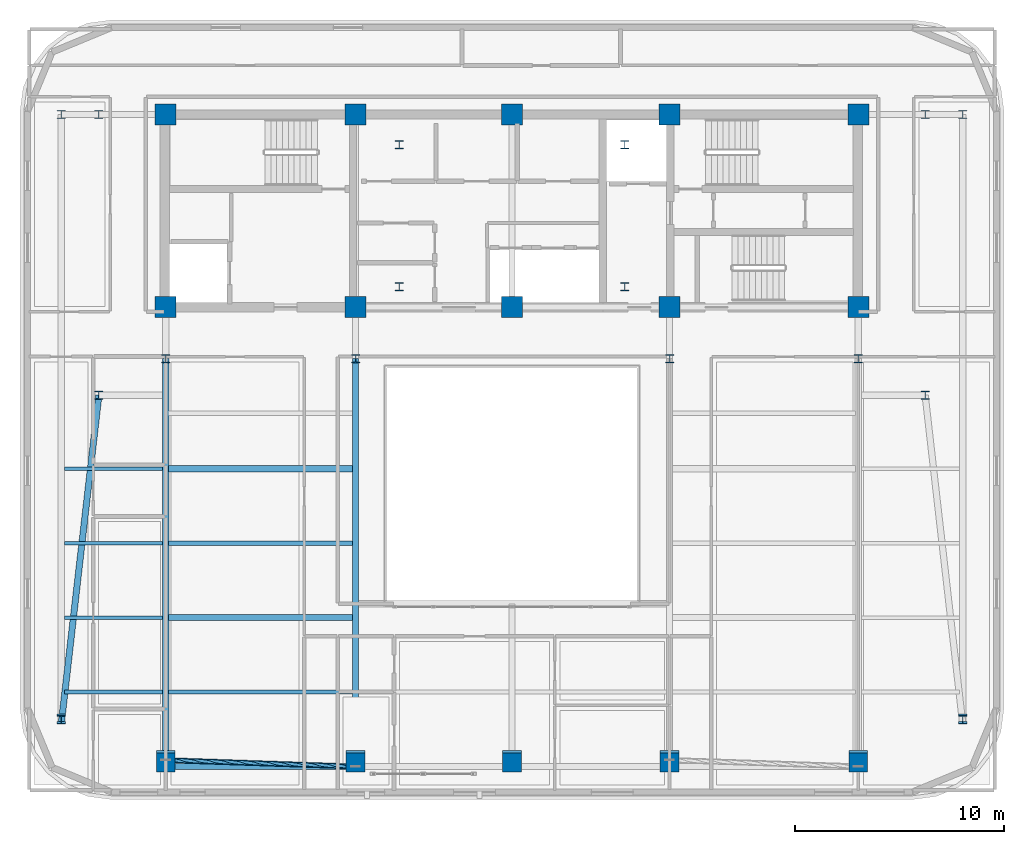
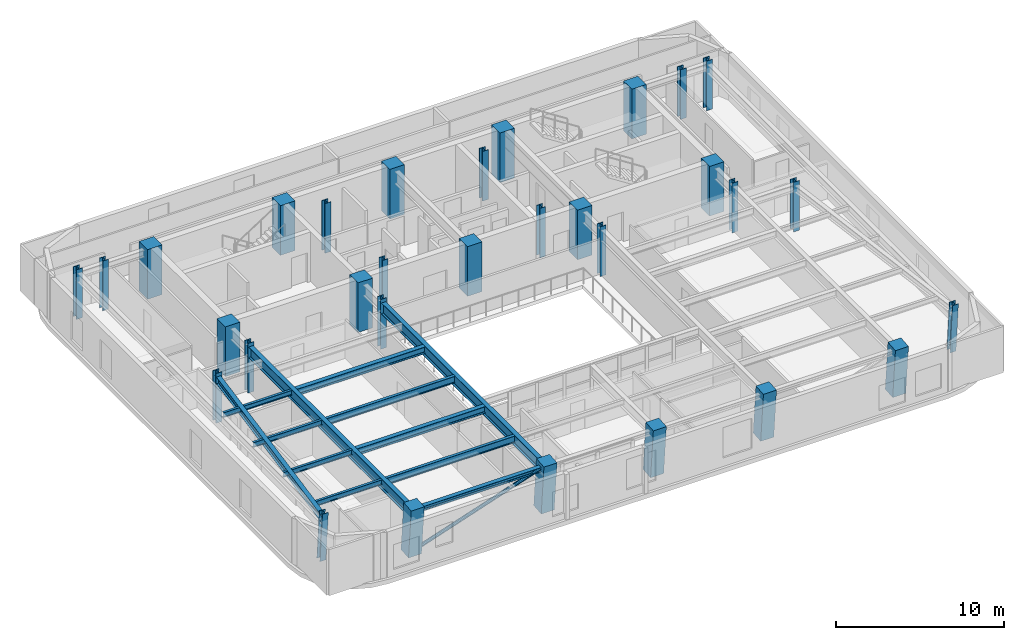
# One storey, part 1 of 14: 31 columns, 12 beams, 1 member.
"""IFC4 building model written with IfcOpenShell, lengths in metres."""

import ifcopenshell
import ifcopenshell.guid

model = None  # the IFC model being written
_history = None  # IfcOwnerHistory: only IFC2X3 demands one
_inside = {}  # id of a spatial element -> (the spatial element, [elements in it])
_under = {}  # id of a project, library or spatial element -> (it, [spatial elements below it])
_declared = {}  # id of a project -> (the project, [libraries it declares])
_typed = {}  # id of a type object -> (the type object, [elements of that type])
_made_of = {}  # id of a material, layer set ... -> (it, [elements and type objects made of it])


def new_model(schema):
    """Start an empty IFC model of exactly this schema.

    Asked for "IFC4X3", IfcOpenShell would pick the latest addendum, in which some entities
    have other attributes; the version numbers below select the first issue.
    IFC2X3 requires an IfcOwnerHistory on every rooted entity: one is made here for all.
    """
    global model, _history
    if schema == "IFC4X3":
        model = ifcopenshell.file(schema_version=(4, 3, 0, 0))
    else:
        model = ifcopenshell.file(schema=schema)
    _inside.clear()
    _under.clear()
    _declared.clear()
    _typed.clear()
    _made_of.clear()
    _history = None
    if model.schema == "IFC2X3":
        org = make("IfcOrganization", Name="unknown")
        user = make(
            "IfcPersonAndOrganization",
            ThePerson=make("IfcPerson", FamilyName="unknown"),
            TheOrganization=org,
        )
        app = make(
            "IfcApplication",
            ApplicationDeveloper=org,
            Version="unknown",
            ApplicationFullName="unknown",
            ApplicationIdentifier="unknown",
        )
        _history = make(
            "IfcOwnerHistory",
            OwningUser=user,
            OwningApplication=app,
            ChangeAction="ADDED",
            CreationDate=0,
        )
    return model


def make(cls, **values):
    """One entity of the class cls with the attributes given. An attribute that is None is left unset."""
    return model.create_entity(
        cls, **{name: value for name, value in values.items() if value is not None}
    )


def rooted(cls, **values):
    """An entity with a GlobalId (a new one), such as an element, a storey or a relation."""
    return make(cls, GlobalId=ifcopenshell.guid.new(), OwnerHistory=_history, **values)


def si_unit(unit_type, name, prefix=None):
    """IfcSIUnit, for example si_unit("LENGTHUNIT", "METRE", prefix="MILLI")."""
    return make("IfcSIUnit", UnitType=unit_type, Prefix=prefix, Name=name)


def assignment(units):
    """IfcUnitAssignment: the units of a project."""
    return None if units is None else make("IfcUnitAssignment", Units=units)


def point(xyz):
    """IfcCartesianPoint."""
    return None if xyz is None else make("IfcCartesianPoint", Coordinates=xyz)


def direction(xyz):
    """IfcDirection."""
    return None if xyz is None else make("IfcDirection", DirectionRatios=xyz)


def frame(location, z_axis=None, x_axis=None):
    """IfcAxis2Placement3D, a coordinate frame: its origin and axes. An axis left out is left unset."""
    return make(
        "IfcAxis2Placement3D",
        Location=point(location),
        Axis=direction(z_axis),
        RefDirection=direction(x_axis),
    )


def frame_2d(location, x_axis=None):
    """IfcAxis2Placement2D, a coordinate frame in the plane: its origin and x axis."""
    return make(
        "IfcAxis2Placement2D", Location=point(location), RefDirection=direction(x_axis)
    )


def origin():
    """The frame at (0, 0, 0) with its axes left unset."""
    return frame((0.0, 0.0, 0.0))


def origin_2d():
    """The frame at (0, 0) in the plane with its x axis left unset."""
    return frame_2d((0.0, 0.0))


def place(relative_to, where):
    """IfcLocalPlacement: puts the frame where relative to a parent placement (None: the world)."""
    return make(
        "IfcLocalPlacement", PlacementRelTo=relative_to, RelativePlacement=where
    )


def context(
    kind, dimensions, precision=None, world=None, true_north=None, identifier=None
):
    """IfcGeometricRepresentationContext, for example the 3D "Model" context."""
    return make(
        "IfcGeometricRepresentationContext",
        ContextIdentifier=identifier,
        ContextType=kind,
        CoordinateSpaceDimension=dimensions,
        Precision=precision,
        WorldCoordinateSystem=world,
        TrueNorth=true_north,
    )


def subcontext(parent, identifier, kind, view, scale=None):
    """IfcGeometricRepresentationSubContext, for example "Body" below "Model"."""
    return make(
        "IfcGeometricRepresentationSubContext",
        ContextIdentifier=identifier,
        ContextType=kind,
        ParentContext=parent,
        TargetScale=scale,
        TargetView=view,
    )


def project(units=None, contexts=None):
    """IfcProject with its units and contexts."""
    return rooted(
        "IfcProject",
        Name="project",
        RepresentationContexts=contexts,
        UnitsInContext=assignment(units),
    )


def spatial(cls, under=None, at=None, **own):
    """A site, building, storey or space (cls), placed at a placement, below another one or the project."""
    s = rooted(cls, ObjectPlacement=at, **own)
    if under is not None:
        _under.setdefault(under.id(), (under, []))[1].append(s)
    return s


def profile(cls, at=None, kind="AREA", **sizes):
    """A parametric profile (cls). Its sizes go by their IFC names, for example OverallWidth=200.0."""
    return make(cls, ProfileType=kind, Position=at, **sizes)


def rectangle(**sizes):
    """IfcRectangleProfileDef."""
    return profile("IfcRectangleProfileDef", **sizes)


def hollow_circle(**sizes):
    """IfcCircleHollowProfileDef."""
    return profile("IfcCircleHollowProfileDef", **sizes)


def i_section(**sizes):
    """IfcIShapeProfileDef."""
    return profile("IfcIShapeProfileDef", **sizes)


def extrude(swept, where, along, depth):
    """IfcExtrudedAreaSolid: the profile swept, set in the frame where, extruded along a direction by depth."""
    return make(
        "IfcExtrudedAreaSolid",
        SweptArea=swept,
        Position=where,
        ExtrudedDirection=direction(along),
        Depth=depth,
    )


def shape(context_of_items, identifier, shape_type, items):
    """IfcShapeRepresentation: the items that make up one representation, for example the "Body"."""
    return make(
        "IfcShapeRepresentation",
        ContextOfItems=context_of_items,
        RepresentationIdentifier=identifier,
        RepresentationType=shape_type,
        Items=items,
    )


def material(Name=None, Category=None):
    """IfcMaterial."""
    return make("IfcMaterial", Name=Name, Category=Category)


def material_profile(
    of_material, cross_section, Name=None, Category=None, Priority=None
):
    """IfcMaterialProfile: a cross section and its material."""
    return make(
        "IfcMaterialProfile",
        Name=Name,
        Material=of_material,
        Profile=cross_section,
        Priority=Priority,
        Category=Category,
    )


def profile_set(profiles, Name=None, composite=None):
    """IfcMaterialProfileSet."""
    return make(
        "IfcMaterialProfileSet",
        Name=Name,
        MaterialProfiles=profiles,
        CompositeProfile=composite,
    )


def made_of(thing, what):
    """Note that an element or type object is made of a material, layer set ...; save() writes the relation."""
    if what is not None:
        _made_of.setdefault(what.id(), (what, []))[1].append(thing)
    return thing


def type_object(cls, material=None, **own):
    """A type object (cls), such as IfcWallType, which elements share."""
    return made_of(rooted(cls, **own), material)


def element(
    cls,
    number,
    at=None,
    inside=None,
    cuts=None,
    type_object=None,
    material=None,
    context=None,
    identifier="Body",
    shape_type=None,
    held_by="IfcProductDefinitionShape",
    body=None,
    shapes=None,
    **own,
):
    """One element of the class cls, such as IfcWall. Its Tag is "e" and its number.

    at: its placement. inside: the storey or other place that contains it. cuts: it is an
    opening in that element (IfcRelVoidsElement). A single representation is given by context,
    identifier, shape_type and body (its items); several are given by shapes. held_by: the class
    of the entity that holds the representations. save() writes the other relations.
    """
    e = rooted(cls, Tag="e%d" % number, ObjectPlacement=at, **own)
    if body is not None:
        shapes = [shape(context, identifier, shape_type, body)]
    if shapes is not None:
        e.Representation = make(held_by, Representations=shapes)
    if inside is not None:
        _inside.setdefault(inside.id(), (inside, []))[1].append(e)
    if cuts is not None:
        rooted(
            "IfcRelVoidsElement", RelatingBuildingElement=cuts, RelatedOpeningElement=e
        )
    if type_object is not None:
        _typed.setdefault(type_object.id(), (type_object, []))[1].append(e)
    return made_of(e, material)


def aggregate(whole, parts):
    """IfcRelAggregates: a whole, such as a stair, and the parts it consists of."""
    return rooted("IfcRelAggregates", RelatingObject=whole, RelatedObjects=parts)


def save(model, path):
    """Write the relations noted so far, then the file.

    IfcRelAggregates (storeys below a building ...), IfcRelContainedInSpatialStructure (elements
    in a storey), IfcRelDefinesByType, IfcRelAssociatesMaterial and IfcRelDeclares: one each for
    every whole, place, type object, material and project.
    """
    for whole, parts in _under.values():
        aggregate(whole, parts)
    for where, things in _inside.values():
        rooted(
            "IfcRelContainedInSpatialStructure",
            RelatedElements=things,
            RelatingStructure=where,
        )
    for kind, things in _typed.values():
        rooted("IfcRelDefinesByType", RelatedObjects=things, RelatingType=kind)
    for what, things in _made_of.values():
        rooted("IfcRelAssociatesMaterial", RelatedObjects=things, RelatingMaterial=what)
    for by, libraries in _declared.values():
        rooted("IfcRelDeclares", RelatingContext=by, RelatedDefinitions=libraries)
    model.write(path)


model = new_model("IFC4")

# Units and contexts
model_context = context("Model", 3, precision=1e-05, world=origin(), true_north=direction((0.0, 1.0)))
body_context = subcontext(model_context, "Body", "Model", "MODEL_VIEW")
ifc_project = project(units=[si_unit("LENGTHUNIT", "METRE"), si_unit("AREAUNIT", "SQUARE_METRE"), si_unit("VOLUMEUNIT", "CUBIC_METRE"), si_unit("PLANEANGLEUNIT", "RADIAN"), si_unit("MASSUNIT", "GRAM", prefix="KILO")], contexts=[model_context])

# Site, building, storey
site_placement = place(None, origin())
site = spatial("IfcSite", under=ifc_project, at=site_placement, CompositionType="ELEMENT")
building_placement = place(site_placement, origin())
building = spatial("IfcBuilding", under=site, at=building_placement, Name="Zarnavel Station Tower", CompositionType="ELEMENT")
storey_placement = place(building_placement, frame((0.0, 0.0, 222.0)))
storey = spatial("IfcBuildingStorey", under=building, at=storey_placement, Name="L60", CompositionType="ELEMENT", Elevation=222.0)

# Columns
ifc_material_1 = material(Name="Steel S355J2", Category="steel")
ifc_material_profile_1 = material_profile(ifc_material_1, i_section(OverallWidth=0.407958984375, OverallDepth=0.39990234375, WebThickness=0.02490234375, FlangeThickness=0.0390625, FilletRadius=0.014892578125, at=origin_2d()), Name="HD400x287")
ifc_profile_set_1 = profile_set([ifc_material_profile_1], Name="Steel S355J2")
column_type_1 = type_object("IfcColumnType", Name="EC_HD287", PredefinedType="COLUMN", material=ifc_profile_set_1)
column_1_placement = place(storey_placement, frame((7.199951171875, 8.131103515625, 0.0), z_axis=(0.0, -0.079833884609, 0.996808181582), x_axis=(1.0, 0.0, 0.0)))
element("IfcColumn", 1, at=column_1_placement, inside=storey, type_object=column_type_1, Name="L60 Raked Wing Column 1", PredefinedType="COLUMN", context=body_context, shape_type="SweptSolid", body=[
    extrude(i_section(OverallWidth=0.407958984375, OverallDepth=0.39990234375, WebThickness=0.02490234375, FlangeThickness=0.0390625, FilletRadius=0.014892578125, at=origin_2d()), origin(), (0.0, 0.0, 1.0), 3.611572265625),
])
column_2_placement = place(storey_placement, frame((7.199951171875, 37.050048828125, 0.0), z_axis=(0.0, 0.0, 1.0), x_axis=(1.0, 0.0, 0.0)))
element("IfcColumn", 2, at=column_2_placement, inside=storey, type_object=column_type_1, Name="L60 Outer Wing North Column 1", PredefinedType="COLUMN", context=body_context, shape_type="SweptSolid", body=[
    extrude(i_section(OverallWidth=0.407958984375, OverallDepth=0.39990234375, WebThickness=0.02490234375, FlangeThickness=0.0390625, FilletRadius=0.014892578125, at=origin_2d()), origin(), (0.0, 0.0, 1.0), 3.60009765625),
])
column_3_placement = place(storey_placement, frame((50.39990234375, 8.131103515625, 0.0), z_axis=(0.0, -0.079833884609, 0.996808181582), x_axis=(1.0, 0.0, 0.0)))
element("IfcColumn", 3, at=column_3_placement, inside=storey, type_object=column_type_1, Name="L60 Raked Wing Column 2", PredefinedType="COLUMN", context=body_context, shape_type="SweptSolid", body=[
    extrude(i_section(OverallWidth=0.407958984375, OverallDepth=0.39990234375, WebThickness=0.02490234375, FlangeThickness=0.0390625, FilletRadius=0.014892578125, at=origin_2d()), origin(), (0.0, 0.0, 1.0), 3.611572265625),
])
column_4_placement = place(storey_placement, frame((50.39990234375, 37.050048828125, 0.0), z_axis=(0.0, 0.0, 1.0), x_axis=(1.0, 0.0, 0.0)))
element("IfcColumn", 4, at=column_4_placement, inside=storey, type_object=column_type_1, Name="L60 Outer Wing North Column 2", PredefinedType="COLUMN", context=body_context, shape_type="SweptSolid", body=[
    extrude(i_section(OverallWidth=0.407958984375, OverallDepth=0.39990234375, WebThickness=0.02490234375, FlangeThickness=0.0390625, FilletRadius=0.014892578125, at=origin_2d()), origin(), (0.0, 0.0, 1.0), 3.60009765625),
])
ifc_material_2 = material(Name="Steel S355J2", Category="steel")
ifc_material_profile_2 = material_profile(ifc_material_2, i_section(OverallWidth=0.407958984375, OverallDepth=0.39990234375, WebThickness=0.02490234375, FlangeThickness=0.0390625, FilletRadius=0.014892578125, at=origin_2d()), Name="HD400x287")
ifc_profile_set_2 = profile_set([ifc_material_profile_2], Name="Steel S355J2")
column_type_2 = type_object("IfcColumnType", Name="IC_HD287", PredefinedType="COLUMN", material=ifc_profile_set_2)
for number, where, z_axis, x_axis, name in (
    (5, (23.39990234375, 28.800048828125, 0.0), (0.0, 0.0, 1.0), (1.0, 0.0, 0.0), "L60 Mast Spine Column 1"),
    (6, (34.199951171875, 28.800048828125, 0.0), (0.0, 0.0, 1.0), (1.0, 0.0, 0.0), "L60 Mast Spine Column 2"),
    (7, (34.199951171875, 35.60009765625, 0.0), (0.0, 0.0, 1.0), (1.0, 0.0, 0.0), "L60 Mast Spine Column 3"),
    (8, (23.39990234375, 35.60009765625, 0.0), (0.0, 0.0, 1.0), (1.0, 0.0, 0.0), "L60 Mast Spine Column 4"),
    (9, (12.199951171875, 25.35009765625, 0.0), (0.0, 0.0, 1.0), (1.0, 0.0, 0.0), "L60 Inner Spine Column 1"),
    (10, (21.300048828125, 25.35009765625, 0.0), (0.0, 0.0, 1.0), (1.0, 0.0, 0.0), "L60 Inner Spine Column 2"),
    (11, (36.35009765625, 25.35009765625, 0.0), (0.0, 0.0, 1.0), (1.0, 0.0, 0.0), "L60 Inner Spine Column 4"),
    (12, (45.39990234375, 25.35009765625, 0.0), (0.0, 0.0, 1.0), (1.0, 0.0, 0.0), "L60 Inner Spine Column 5"),
    (13, (9.0, 23.60009765625, 0.0), (0.0, 0.0, 1.0), (1.0, 0.0, 0.0), "L60 Inner Wing Spine Column 1-1"),
    (14, (9.0, 37.050048828125, 0.0), (0.0, 0.0, 1.0), (1.0, 0.0, 0.0), "L60 Inner Wing Spine Column 1-2"),
    (15, (48.60009765625, 23.60009765625, 0.0), (0.0, 0.0, 1.0), (1.0, 0.0, 0.0), "L60 Inner Wing Spine Column 2-1"),
    (16, (48.60009765625, 37.050048828125, 0.0), (0.0, 0.0, 1.0), (1.0, 0.0, 0.0), "L60 Inner Wing Spine Column 2-2"),
):
    element("IfcColumn", number, at=place(storey_placement, frame(where, z_axis=z_axis, x_axis=x_axis)), inside=storey, type_object=column_type_2, Name=name, PredefinedType="COLUMN", context=body_context, shape_type="SweptSolid", body=[
        extrude(i_section(OverallWidth=0.407958984375, OverallDepth=0.39990234375, WebThickness=0.02490234375, FlangeThickness=0.0390625, FilletRadius=0.014892578125, at=origin_2d()), origin(), (0.0, 0.0, 1.0), 3.60009765625),
    ])
ifc_material_3 = material(Name="Concrete C50/60", Category="concrete")
ifc_material_profile_3 = material_profile(ifc_material_3, rectangle(XDim=1.0, YDim=1.0, at=origin_2d()), Name="RC1000x1000")
ifc_profile_set_3 = profile_set([ifc_material_profile_3], Name="Concrete C50/60")
column_type_3 = type_object("IfcColumnType", Name="IC_RC1000", PredefinedType="COLUMN", material=ifc_profile_set_3)
for number, where, z_axis, x_axis, name in (
    (17, (12.199951171875, 27.820068359375, 0.0), (0.0, 0.0, 1.0), (1.0, 0.0, 0.0), "L60 Core Spine Column 1-1"),
    (18, (12.199951171875, 37.050048828125, 0.0), (0.0, 0.0, 1.0), (1.0, 0.0, 0.0), "L60 Core Spine Column 1-2"),
    (19, (21.300048828125, 27.820068359375, 0.0), (0.0, 0.0, 1.0), (1.0, 0.0, 0.0), "L60 Core Spine Column 2-1"),
    (20, (21.300048828125, 37.050048828125, 0.0), (0.0, 0.0, 1.0), (1.0, 0.0, 0.0), "L60 Core Spine Column 2-2"),
    (21, (28.800048828125, 27.820068359375, 0.0), (0.0, 0.0, 1.0), (1.0, 0.0, 0.0), "L60 Core Spine Column 3-1"),
    (22, (28.800048828125, 37.050048828125, 0.0), (0.0, 0.0, 1.0), (1.0, 0.0, 0.0), "L60 Core Spine Column 3-2"),
    (23, (36.35009765625, 27.820068359375, 0.0), (0.0, 0.0, 1.0), (1.0, 0.0, 0.0), "L60 Core Spine Column 4-1"),
    (24, (36.35009765625, 37.050048828125, 0.0), (0.0, 0.0, 1.0), (1.0, 0.0, 0.0), "L60 Core Spine Column 4-2"),
    (25, (45.39990234375, 27.820068359375, 0.0), (0.0, 0.0, 1.0), (1.0, 0.0, 0.0), "L60 Core Spine Column 5-1"),
    (26, (45.39990234375, 37.050048828125, 0.0), (0.0, 0.0, 1.0), (1.0, 0.0, 0.0), "L60 Core Spine Column 5-2"),
):
    element("IfcColumn", number, at=place(storey_placement, frame(where, z_axis=z_axis, x_axis=x_axis)), inside=storey, type_object=column_type_3, Name=name, PredefinedType="COLUMN", context=body_context, shape_type="SweptSolid", body=[
        extrude(rectangle(XDim=1.0, YDim=1.0, at=origin_2d()), origin(), (0.0, 0.0, 1.0), 3.60009765625),
    ])
ifc_material_4 = material(Name="Concrete C50/60", Category="concrete")
ifc_material_profile_4 = material_profile(ifc_material_4, rectangle(XDim=0.89990234375, YDim=0.89990234375, at=origin_2d()), Name="RC900x900")
ifc_profile_set_4 = profile_set([ifc_material_profile_4], Name="Concrete C50/60")
column_type_4 = type_object("IfcColumnType", Name="MC_RC900", PredefinedType="COLUMN", material=ifc_profile_set_4)
for number, where, z_axis, x_axis, name in (
    (27, (12.199951171875, 6.1103515625, 0.0), (0.0, -0.090231265542, 0.995920839584), (1.0, 0.0, 0.0), "L60 Raked South Mega-Column 1"),
    (28, (21.300048828125, 6.1103515625, 0.0), (0.0, -0.090231265542, 0.995920839584), (1.0, 0.0, 0.0), "L60 Raked South Mega-Column 2"),
    (29, (28.800048828125, 6.1103515625, 0.0), (0.0, -0.090231265542, 0.995920839584), (1.0, 0.0, 0.0), "L60 Raked South Mega-Column 3"),
    (30, (36.35009765625, 6.1103515625, 0.0), (0.0, -0.090231265542, 0.995920839584), (1.0, 0.0, 0.0), "L60 Raked South Mega-Column 4"),
    (31, (45.39990234375, 6.1103515625, 0.0), (0.0, -0.090231265542, 0.995920839584), (1.0, 0.0, 0.0), "L60 Raked South Mega-Column 5"),
):
    element("IfcColumn", number, at=place(storey_placement, frame(where, z_axis=z_axis, x_axis=x_axis)), inside=storey, type_object=column_type_4, Name=name, PredefinedType="COLUMN", context=body_context, shape_type="SweptSolid", body=[
        extrude(rectangle(XDim=0.89990234375, YDim=0.89990234375, at=origin_2d()), origin(), (0.0, 0.0, 1.0), 3.61474609375),
    ])

# Member
ifc_material_5 = material(Name="Steel S355J2", Category="steel")
ifc_material_profile_5 = material_profile(ifc_material_5, hollow_circle(Radius=0.122314453125, WallThickness=0.010009765625, at=origin_2d()), Name="CHS244.5x10")
ifc_profile_set_5 = profile_set([ifc_material_profile_5], Name="Steel S355J2")
member_type = type_object("IfcMemberType", Name="DB_EXT_CHS245", PredefinedType="BRACE", material=ifc_profile_set_5)
member_placement = place(storey_placement, frame((12.199951171875, 6.1103515625, 0.0), z_axis=(0.938305928034, -0.03121477037, 0.344394575346), x_axis=(0.033248763554, 0.999447107016, 0.0)))
element("IfcMember", 32, at=member_placement, inside=storey, type_object=member_type, Name="L60 Persian Exterior Diagonal Frame Brace 1", PredefinedType="BRACE", context=body_context, shape_type="SweptSolid", body=[
    extrude(hollow_circle(Radius=0.122314453125, WallThickness=0.010009765625, at=origin_2d()), origin(), (0.0, 0.0, 1.0), 9.698486328125),
])

# Beams
ifc_material_6 = material(Name="Steel S355J2", Category="steel")
ifc_material_profile_6 = material_profile(ifc_material_6, i_section(OverallWidth=0.300048828125, OverallDepth=0.320068359375, WebThickness=0.011474609375, FlangeThickness=0.0205078125, FilletRadius=0.027099609375, at=origin_2d()), Name="HEB320")
ifc_profile_set_6 = profile_set([ifc_material_profile_6], Name="Steel S355J2")
beam_type_1 = type_object("IfcBeamType", Name="EB_HEB320", PredefinedType="SPANDREL", material=ifc_profile_set_6)
beam_1_placement = place(storey_placement, frame((12.199951171875, 5.8076171875, 3.179931640625), z_axis=(1.0, 0.0, 0.0), x_axis=(0.0, 1.0, 0.0)))
element("IfcBeam", 33, at=beam_1_placement, inside=storey, type_object=beam_type_1, Name="L60 South Raked Spandrel 1", PredefinedType="SPANDREL", context=body_context, shape_type="SweptSolid", body=[
    extrude(i_section(OverallWidth=0.300048828125, OverallDepth=0.320068359375, WebThickness=0.011474609375, FlangeThickness=0.0205078125, FilletRadius=0.027099609375, at=origin_2d()), origin(), (0.0, 0.0, 1.0), 9.10009765625),
])
ifc_material_7 = material(Name="Steel S355J2", Category="steel")
ifc_material_profile_7 = material_profile(ifc_material_7, i_section(OverallWidth=0.300048828125, OverallDepth=0.489990234375, WebThickness=0.011962890625, FlangeThickness=0.02294921875, FilletRadius=0.027099609375, at=origin_2d()), Name="HEA500")
ifc_profile_set_7 = profile_set([ifc_material_profile_7], Name="Steel S355J2")
beam_type_2 = type_object("IfcBeamType", Name="FB_HEA500", PredefinedType="BEAM", material=ifc_profile_set_7)
for number, where, z_axis, x_axis, name in (
    (34, (12.344970703125, 12.9384765625, 3.094970703125), (1.0, 0.0, 0.0), (0.0, 1.0, 0.0), "L60 West Bay Beam 2"),
    (35, (12.344970703125, 20.069091796875, 3.094970703125), (1.0, 0.0, 0.0), (0.0, 1.0, 0.0), "L60 West Bay Beam 4"),
):
    element("IfcBeam", number, at=place(storey_placement, frame(where, z_axis=z_axis, x_axis=x_axis)), inside=storey, type_object=beam_type_2, Name=name, PredefinedType="BEAM", context=body_context, shape_type="SweptSolid", body=[
        extrude(i_section(OverallWidth=0.300048828125, OverallDepth=0.489990234375, WebThickness=0.011962890625, FlangeThickness=0.02294921875, FilletRadius=0.027099609375, at=origin_2d()), origin(), (0.0, 0.0, 1.0), 8.81005859375),
    ])
ifc_material_8 = material(Name="Steel S355J2", Category="steel")
ifc_material_profile_8 = material_profile(ifc_material_8, i_section(OverallWidth=0.199951171875, OverallDepth=0.5, WebThickness=0.01025390625, FlangeThickness=0.01611328125, FilletRadius=0.02099609375, at=origin_2d()), Name="IPE500")
ifc_profile_set_8 = profile_set([ifc_material_profile_8], Name="Steel S355J2")
beam_type_3 = type_object("IfcBeamType", Name="FB_IPE500", PredefinedType="BEAM", material=ifc_profile_set_8)
for number, where, z_axis, x_axis, name in (
    (36, (12.344970703125, 9.373046875, 3.090087890625), (1.0, 0.0, 0.0), (0.0, 1.0, 0.0), "L60 West Bay Beam 1"),
    (37, (12.344970703125, 16.50390625, 3.090087890625), (1.0, 0.0, 0.0), (0.0, 1.0, 0.0), "L60 West Bay Beam 3"),
):
    element("IfcBeam", number, at=place(storey_placement, frame(where, z_axis=z_axis, x_axis=x_axis)), inside=storey, type_object=beam_type_3, Name=name, PredefinedType="BEAM", context=body_context, shape_type="SweptSolid", body=[
        extrude(i_section(OverallWidth=0.199951171875, OverallDepth=0.5, WebThickness=0.01025390625, FlangeThickness=0.01611328125, FilletRadius=0.02099609375, at=origin_2d()), origin(), (0.0, 0.0, 1.0), 8.81005859375),
    ])
ifc_material_9 = material(Name="Steel S355J2", Category="steel")
ifc_material_profile_9 = material_profile(ifc_material_9, i_section(OverallWidth=0.300048828125, OverallDepth=0.5, WebThickness=0.014404296875, FlangeThickness=0.028076171875, FilletRadius=0.027099609375, at=origin_2d()), Name="HEB500")
ifc_profile_set_9 = profile_set([ifc_material_profile_9], Name="Steel S355J2")
beam_type_4 = type_object("IfcBeamType", Name="FG_HEB500", PredefinedType="USERDEFINED", material=ifc_profile_set_9)
beam_2_placement = place(storey_placement, frame((7.199951171875, 7.863525390625, 3.090087890625), z_axis=(0.113645270626, 0.993521390039, 0.0), x_axis=(-0.993521390039, 0.113645270626, 0.0)))
element("IfcBeam", 38, at=beam_2_placement, inside=storey, type_object=beam_type_4, Name="L60 West Wing South Tie 1", ObjectType="GIRDER", PredefinedType="USERDEFINED", context=body_context, shape_type="SweptSolid", body=[
    extrude(i_section(OverallWidth=0.300048828125, OverallDepth=0.5, WebThickness=0.014404296875, FlangeThickness=0.028076171875, FilletRadius=0.027099609375, at=origin_2d()), origin(), (0.0, 0.0, 1.0), 15.839111328125),
])
ifc_material_10 = material(Name="Steel S355J2", Category="steel")
ifc_material_profile_10 = material_profile(ifc_material_10, i_section(OverallWidth=0.300048828125, OverallDepth=0.800048828125, WebThickness=0.017578125, FlangeThickness=0.032958984375, FilletRadius=0.030029296875, at=origin_2d()), Name="HEB800")
ifc_profile_set_10 = profile_set([ifc_material_profile_10], Name="Steel S355J2")
beam_type_5 = type_object("IfcBeamType", Name="FG_HEB800", PredefinedType="USERDEFINED", material=ifc_profile_set_10)
for number, where, z_axis, x_axis, name in (
    (39, (12.199951171875, 5.8076171875, 2.93994140625), (0.0, 1.0, 0.0), (-1.0, 0.0, 0.0), "L60 South-Zone NS Girder 1"),
    (40, (21.300048828125, 5.8076171875, 2.93994140625), (0.0, 1.0, 0.0), (-1.0, 0.0, 0.0), "L60 South-Zone NS Girder 2"),
):
    element("IfcBeam", number, at=place(storey_placement, frame(where, z_axis=z_axis, x_axis=x_axis)), inside=storey, type_object=beam_type_5, Name=name, ObjectType="GIRDER", PredefinedType="USERDEFINED", context=body_context, shape_type="SweptSolid", body=[
        extrude(i_section(OverallWidth=0.300048828125, OverallDepth=0.800048828125, WebThickness=0.017578125, FlangeThickness=0.032958984375, FilletRadius=0.030029296875, at=origin_2d()), origin(), (0.0, 0.0, 1.0), 19.54248046875),
    ])
ifc_material_11 = material(Name="Steel S355J2", Category="steel")
ifc_material_profile_11 = material_profile(ifc_material_11, i_section(OverallWidth=0.169921875, OverallDepth=0.360107421875, WebThickness=0.008056640625, FlangeThickness=0.0126953125, FilletRadius=0.01806640625, at=origin_2d()), Name="IPE360")
ifc_profile_set_11 = profile_set([ifc_material_profile_11], Name="Steel S355J2")
beam_type_6 = type_object("IfcBeamType", Name="FJ_IPE360", PredefinedType="JOIST", material=ifc_profile_set_11)
for number, where, z_axis, x_axis, name in (
    (41, (7.344970703125, 9.373046875, 3.159912109375), (1.0, 0.0, 0.0), (0.0, 1.0, 0.0), "L60 West Wing Joist 1"),
    (42, (7.344970703125, 12.9384765625, 3.159912109375), (1.0, 0.0, 0.0), (0.0, 1.0, 0.0), "L60 West Wing Joist 2"),
    (43, (7.344970703125, 16.50390625, 3.159912109375), (1.0, 0.0, 0.0), (0.0, 1.0, 0.0), "L60 West Wing Joist 3"),
    (44, (7.344970703125, 20.069091796875, 3.159912109375), (1.0, 0.0, 0.0), (0.0, 1.0, 0.0), "L60 West Wing Joist 4"),
):
    element("IfcBeam", number, at=place(storey_placement, frame(where, z_axis=z_axis, x_axis=x_axis)), inside=storey, type_object=beam_type_6, Name=name, PredefinedType="JOIST", context=body_context, shape_type="SweptSolid", body=[
        extrude(i_section(OverallWidth=0.169921875, OverallDepth=0.360107421875, WebThickness=0.008056640625, FlangeThickness=0.0126953125, FilletRadius=0.01806640625, at=origin_2d()), origin(), (0.0, 0.0, 1.0), 4.7099609375),
    ])

save(model, "model.ifc")
